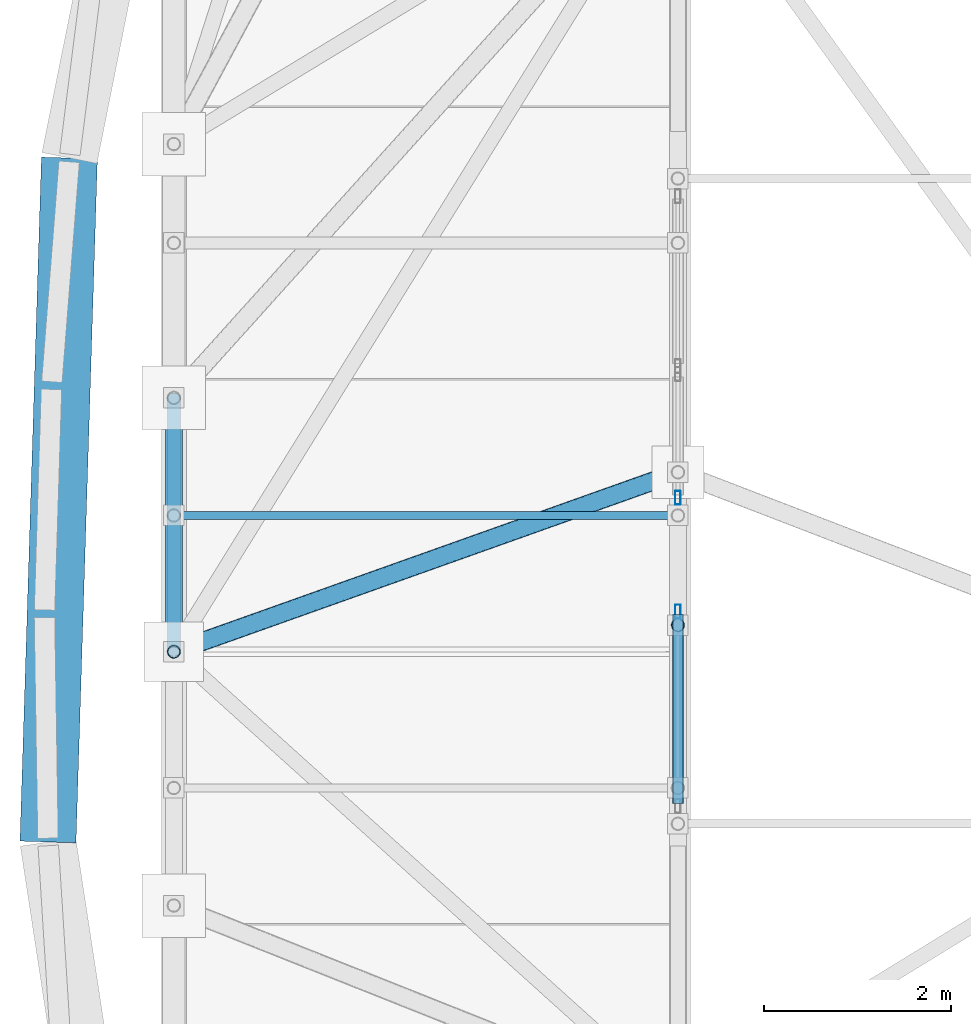
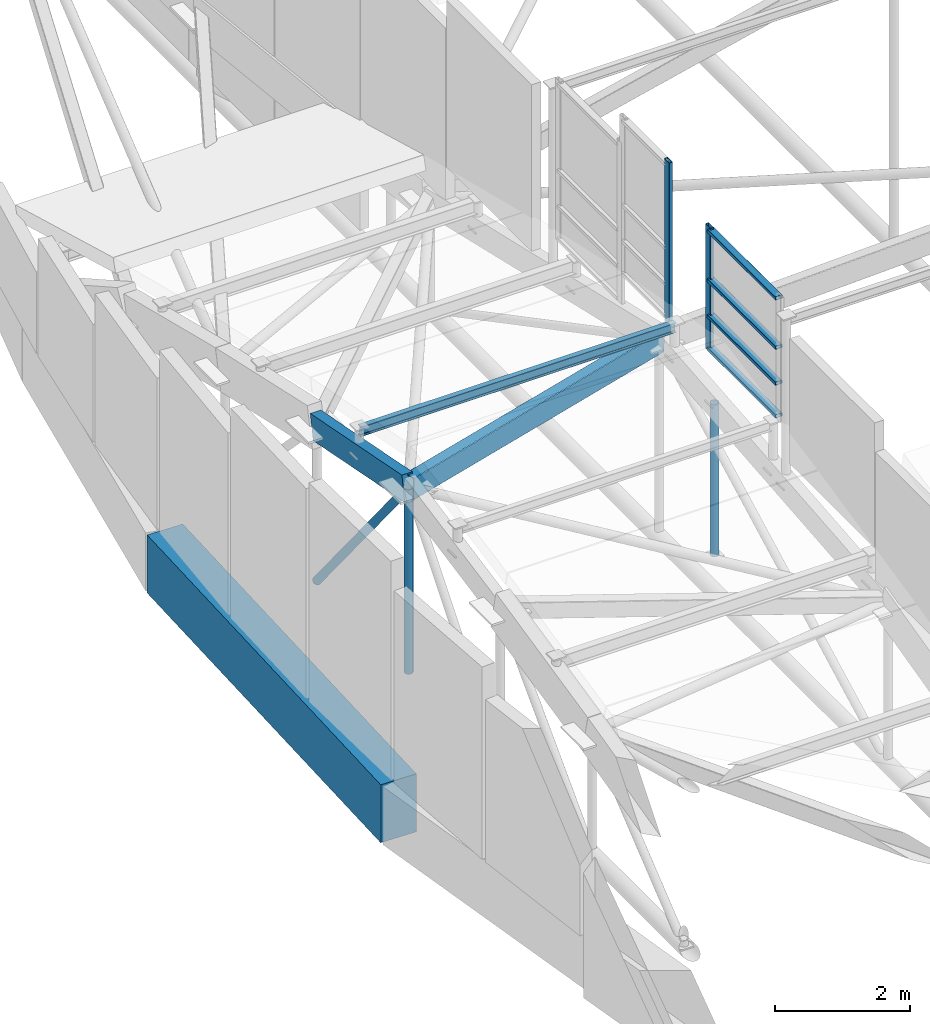
# One storey, part 38 of 188: 12 members, 1 beam, 2 elements without a shape of their own.
"""IFC4 building model written with IfcOpenShell, lengths in metres."""

from ifc_helpers import new_model, si_unit, direction, frame, origin, origin_2d, place, context, subcontext, project, spatial, rectangle, hollow_rectangle, hollow_circle, i_section, extrude, material, layer, layer_set, material_profile, profile_set, type_object, element, aggregate, save


model = new_model("IFC4")

# Units and contexts
model_context = context("Model", 3, precision=1e-05, world=origin(), true_north=direction((0.0, 1.0)))
body_context = subcontext(model_context, "Body", "Model", "MODEL_VIEW")
ifc_project = project(units=[si_unit("LENGTHUNIT", "METRE"), si_unit("AREAUNIT", "SQUARE_METRE"), si_unit("VOLUMEUNIT", "CUBIC_METRE"), si_unit("PLANEANGLEUNIT", "RADIAN"), si_unit("MASSUNIT", "GRAM", prefix="KILO")], contexts=[model_context])

# Site, building, storey
site_placement = place(None, origin())
site = spatial("IfcSite", under=ifc_project, at=site_placement, CompositionType="ELEMENT")
building_placement = place(site_placement, origin())
building = spatial("IfcBuilding", under=site, at=building_placement, Name="Kisaragi Civic Commons", CompositionType="ELEMENT")
storey_placement = place(building_placement, frame((0.0, 0.0, 9.60009765625)))
storey = spatial("IfcBuildingStorey", under=building, at=storey_placement, Name="L02", CompositionType="ELEMENT", Elevation=9.60009765625)

# Curtain wall, member
ifc_material_1 = material(Name="Thermally broken anodized aluminium and low-E double glazing", Category="aluminium")
ifc_layer = layer(ifc_material_1, 0.14990234375, Name="Thermally broken anodized aluminium and low-E double glazing", Category="aluminium")
ifc_layer_set = layer_set([ifc_layer], Name="Thermally broken anodized aluminium and low-E double glazing")
curtain_wall_type = type_object("IfcCurtainWallType", Name="CW-03", PredefinedType="NOTDEFINED", material=ifc_layer_set)
curtain_wall_1_placement = place(storey_placement, origin())
curtain_wall_1 = element("IfcCurtainWall", 1, at=curtain_wall_1_placement, inside=storey, type_object=curtain_wall_type, Name="L02 curtain wall CW-03 CW-CL-V1-134", PredefinedType="NOTDEFINED")
ifc_material_profile_1 = material_profile(ifc_material_1, hollow_rectangle(XDim=0.06005859375, YDim=0.14990234375, WallThickness=0.00390625, InnerFilletRadius=0.00390625, OuterFilletRadius=0.008056640625, at=origin_2d()), Name="CWM-60x150x4", Category="aluminium")
ifc_profile_set_1 = profile_set([ifc_material_profile_1], Name="Thermally broken anodized aluminium and low-E double glazing")
member_type_1 = type_object("IfcMemberType", Name="CWM-01", PredefinedType="MULLION", material=ifc_profile_set_1)
member_1_placement = place(storey_placement, frame((6.800048828125, 33.74560546875, 3.591552734375), z_axis=(0.0, 0.0, 1.0), x_axis=(-1.0, 0.0, 0.0)))
member_1 = element("IfcMember", 2, at=member_1_placement, type_object=member_type_1, Name="CW-03 mullion 2", PredefinedType="MULLION", context=body_context, shape_type="SweptSolid", body=[
    extrude(hollow_rectangle(XDim=0.06005859375, YDim=0.14990234375, WallThickness=0.00390625, InnerFilletRadius=0.00390625, OuterFilletRadius=0.008056640625, at=origin_2d()), origin(), (0.0, 0.0, 1.0), 2.2529296875),
])

curtain_wall_2_placement = place(storey_placement, origin())
curtain_wall_2 = element("IfcCurtainWall", 3, at=curtain_wall_2_placement, inside=storey, type_object=curtain_wall_type, Name="L02 curtain wall CW-03 CW-CL-V1-135", PredefinedType="NOTDEFINED")
member_2_placement = place(storey_placement, frame((6.800048828125, 34.965087890625, 3.407958984375), z_axis=(0.0, 0.0, 1.0), x_axis=(-1.0, 0.0, 0.0)))
member_2 = element("IfcMember", 4, at=member_2_placement, type_object=member_type_1, Name="CW-03 mullion 1", PredefinedType="MULLION", context=body_context, shape_type="SweptSolid", body=[
    extrude(hollow_rectangle(XDim=0.06005859375, YDim=0.14990234375, WallThickness=0.00390625, InnerFilletRadius=0.00390625, OuterFilletRadius=0.008056640625, at=origin_2d()), origin(), (0.0, 0.0, 1.0), 2.8798828125),
])
aggregate(curtain_wall_2, [member_2])

# Member
ifc_material_profile_2 = material_profile(ifc_material_1, hollow_rectangle(XDim=0.1201171875, YDim=0.06005859375, WallThickness=0.00390625, InnerFilletRadius=0.00390625, OuterFilletRadius=0.008056640625, at=origin_2d()), Name="CWT-60x120x4", Category="aluminium")
ifc_profile_set_2 = profile_set([ifc_material_profile_2], Name="Thermally broken anodized aluminium and low-E double glazing")
member_type_2 = type_object("IfcMemberType", Name="CWT-01", PredefinedType="USERDEFINED", material=ifc_profile_set_2)
member_3_placement = place(storey_placement, frame((6.800048828125, 31.691650390625, 3.651611328125), z_axis=(0.0, 1.0, 0.0), x_axis=(-1.0, 0.0, 0.0)))
member_3 = element("IfcMember", 5, at=member_3_placement, type_object=member_type_2, Name="CW-03 transom 1.1", ObjectType="TRANSOM", PredefinedType="USERDEFINED", context=body_context, shape_type="SweptSolid", body=[
    extrude(hollow_rectangle(XDim=0.1201171875, YDim=0.06005859375, WallThickness=0.00390625, InnerFilletRadius=0.00390625, OuterFilletRadius=0.008056640625, at=origin_2d()), origin(), (0.0, 0.0, 1.0), 2.02392578125),
])

member_4_placement = place(storey_placement, frame((6.800048828125, 31.691650390625, 4.241455078125), z_axis=(0.0, 1.0, 0.0), x_axis=(-1.0, 0.0, 0.0)))
member_4 = element("IfcMember", 6, at=member_4_placement, type_object=member_type_2, Name="CW-03 transom 1.2", ObjectType="TRANSOM", PredefinedType="USERDEFINED", context=body_context, shape_type="SweptSolid", body=[
    extrude(hollow_rectangle(XDim=0.1201171875, YDim=0.06005859375, WallThickness=0.00390625, InnerFilletRadius=0.00390625, OuterFilletRadius=0.008056640625, at=origin_2d()), origin(), (0.0, 0.0, 1.0), 2.02392578125),
])

member_5_placement = place(storey_placement, frame((6.800048828125, 31.691650390625, 4.8916015625), z_axis=(0.0, 1.0, 0.0), x_axis=(-1.0, 0.0, 0.0)))
member_5 = element("IfcMember", 7, at=member_5_placement, type_object=member_type_2, Name="CW-03 transom 1.3", ObjectType="TRANSOM", PredefinedType="USERDEFINED", context=body_context, shape_type="SweptSolid", body=[
    extrude(hollow_rectangle(XDim=0.1201171875, YDim=0.06005859375, WallThickness=0.00390625, InnerFilletRadius=0.00390625, OuterFilletRadius=0.008056640625, at=origin_2d()), origin(), (0.0, 0.0, 1.0), 2.02392578125),
])

member_6_placement = place(storey_placement, frame((6.800048828125, 31.691650390625, 5.784423828125), z_axis=(0.0, 1.0, 0.0), x_axis=(-1.0, 0.0, 0.0)))
member_6 = element("IfcMember", 8, at=member_6_placement, type_object=member_type_2, Name="CW-03 transom 1.4", ObjectType="TRANSOM", PredefinedType="USERDEFINED", context=body_context, shape_type="SweptSolid", body=[
    extrude(hollow_rectangle(XDim=0.1201171875, YDim=0.06005859375, WallThickness=0.00390625, InnerFilletRadius=0.00390625, OuterFilletRadius=0.008056640625, at=origin_2d()), origin(), (0.0, 0.0, 1.0), 2.02392578125),
])

aggregate(curtain_wall_1, [member_1, member_3, member_4, member_5, member_6])

# Beam
ifc_material_2 = material(Name="Concrete Fc36", Category="concrete")
ifc_material_profile_3 = material_profile(ifc_material_2, rectangle(XDim=0.60009765625, YDim=1.050048828125, at=origin_2d()), Name="RC-600x1050", Category="concrete")
ifc_profile_set_3 = profile_set([ifc_material_profile_3], Name="Concrete Fc36")
beam_type = type_object("IfcBeamType", Name="G-06", PredefinedType="BEAM", material=ifc_profile_set_3)
beam_placement = place(storey_placement, frame((0.28125, 38.604248046875, -0.84521484375), z_axis=(-0.031338724546, -0.999508821544, 0.0), x_axis=(0.999508821544, -0.031338724546, 0.0)))
element("IfcBeam", 9, at=beam_placement, inside=storey, type_object=beam_type, Name="L02 curved spandrel/ring girder G-06 258", PredefinedType="BEAM", context=body_context, shape_type="SweptSolid", body=[
    extrude(rectangle(XDim=0.60009765625, YDim=1.050048828125, at=origin_2d()), origin(), (0.0, 0.0, 1.0), 7.330810546875),
])

# Members
ifc_material_3 = material(Name="Steel SN490 (SN490B)", Category="steel")
ifc_material_profile_4 = material_profile(ifc_material_3, hollow_rectangle(XDim=0.199951171875, YDim=0.39990234375, WallThickness=0.011962890625, InnerFilletRadius=0.011962890625, OuterFilletRadius=0.02392578125, at=origin_2d()), Name="STKR-400x200x12", Category="steel")
ifc_profile_set_4 = profile_set([ifc_material_profile_4], Name="Steel SN490 (SN490B)")
member_type_3 = type_object("IfcMemberType", Name="GC-01", PredefinedType="CHORD", material=ifc_profile_set_4)
member_7_placement = place(storey_placement, frame((1.39990234375, 33.3154296875, 3.260986328125), z_axis=(0.940077427259, 0.334694594677, -0.065068879295), x_axis=(-0.335405394202, 0.942073893885, 0.0)))
element("IfcMember", 10, at=member_7_placement, inside=storey, type_object=member_type_3, Name="V1 wave gridshell chord GC-01 4", PredefinedType="CHORD", context=body_context, shape_type="SweptSolid", body=[
    extrude(hollow_rectangle(XDim=0.199951171875, YDim=0.39990234375, WallThickness=0.011962890625, InnerFilletRadius=0.011962890625, OuterFilletRadius=0.02392578125, at=origin_2d()), origin(), (0.0, 0.0, 1.0), 5.744384765625),
])
ifc_material_4 = material(Name="Glulam E120-F330", Category="wood")
ifc_material_profile_5 = material_profile(ifc_material_4, rectangle(XDim=0.179931640625, YDim=0.449951171875, at=origin_2d()), Name="GL-180x450", Category="wood")
ifc_profile_set_5 = profile_set([ifc_material_profile_5], Name="Glulam E120-F330")
member_type_4 = type_object("IfcMemberType", Name="GR-05", PredefinedType="RAFTER", material=ifc_profile_set_5)
member_8_placement = place(storey_placement, frame((1.39990234375, 33.3154296875, 3.260986328125), z_axis=(0.0, 0.981445319543, -0.19174223517), x_axis=(-1.0, 0.0, 0.0)))
element("IfcMember", 11, at=member_8_placement, inside=storey, type_object=member_type_4, Name="V1 glulam arch rib GR-05 5", PredefinedType="RAFTER", context=body_context, shape_type="SweptSolid", body=[
    extrude(rectangle(XDim=0.179931640625, YDim=0.449951171875, at=origin_2d()), origin(), (0.0, 0.0, 1.0), 2.770751953125),
])
ifc_material_5 = material(Name="Steel SN400 (SN400B)", Category="steel")
ifc_material_profile_6 = material_profile(ifc_material_5, i_section(OverallWidth=0.090087890625, OverallDepth=0.175048828125, WebThickness=0.0048828125, FlangeThickness=0.008056640625, FilletRadius=0.008056640625, at=origin_2d()), Name="H-175x90x5x8", Category="steel")
ifc_profile_set_6 = profile_set([ifc_material_profile_6], Name="Steel SN400 (SN400B)")
member_type_5 = type_object("IfcMemberType", Name="PR-03", PredefinedType="PURLIN", material=ifc_profile_set_6)
member_9_placement = place(storey_placement, frame((1.39990234375, 34.77490234375, 3.399169921875), z_axis=(1.0, 0.0, 0.0), x_axis=(0.0, 1.0, 0.0)))
element("IfcMember", 12, at=member_9_placement, inside=storey, type_object=member_type_5, Name="V1 wave vault steel purlin 5", PredefinedType="PURLIN", context=body_context, shape_type="SweptSolid", body=[
    extrude(i_section(OverallWidth=0.090087890625, OverallDepth=0.175048828125, WebThickness=0.0048828125, FlangeThickness=0.008056640625, FilletRadius=0.008056640625, at=origin_2d()), origin(), (0.0, 0.0, 1.0), 5.400146484375),
])
ifc_material_profile_7 = material_profile(ifc_material_3, hollow_circle(Radius=0.06982421875, WallThickness=0.006103515625, at=origin_2d()), Name="CHS-139.8x6.0", Category="steel")
ifc_profile_set_7 = profile_set([ifc_material_profile_7], Name="Steel SN490 (SN490B)")
member_type_6 = type_object("IfcMemberType", Name="ST-H1", PredefinedType="STRUT", material=ifc_profile_set_7)
member_10_placement = place(storey_placement, frame((1.39990234375, 33.3154296875, -0.080078125), z_axis=(0.0, 0.0, 1.0), x_axis=(1.0, 0.0, 0.0)))
element("IfcMember", 13, at=member_10_placement, inside=storey, type_object=member_type_6, Name="V1 arch tie hanger strut 5", PredefinedType="STRUT", context=body_context, shape_type="SweptSolid", body=[
    extrude(hollow_circle(Radius=0.06982421875, WallThickness=0.006103515625, at=origin_2d()), origin(), (0.0, 0.0, 1.0), 3.341064453125),
])
member_11_placement = place(storey_placement, frame((1.39990234375, 36.03466796875, -0.080078125), z_axis=(0.0, -0.631238893952, 0.775588459663), x_axis=(1.0, 0.0, 0.0)))
element("IfcMember", 14, at=member_11_placement, inside=storey, type_object=member_type_6, Name="V1 tied arch truss diagonal web strut 12", PredefinedType="STRUT", context=body_context, shape_type="SweptSolid", body=[
    extrude(hollow_circle(Radius=0.06982421875, WallThickness=0.006103515625, at=origin_2d()), origin(), (0.0, 0.0, 1.0), 4.307861328125),
])
member_12_placement = place(storey_placement, frame((6.800048828125, 33.60009765625, -0.02001953125), z_axis=(0.0, 0.0, 1.0), x_axis=(1.0, 0.0, 0.0)))
element("IfcMember", 15, at=member_12_placement, inside=storey, type_object=member_type_6, Name="V1 interior column arch support post (6.8,33.6)", PredefinedType="STRUT", context=body_context, shape_type="SweptSolid", body=[
    extrude(hollow_circle(Radius=0.06982421875, WallThickness=0.006103515625, at=origin_2d()), origin(), (0.0, 0.0, 1.0), 2.75439453125),
])

save(model, "model.ifc")
